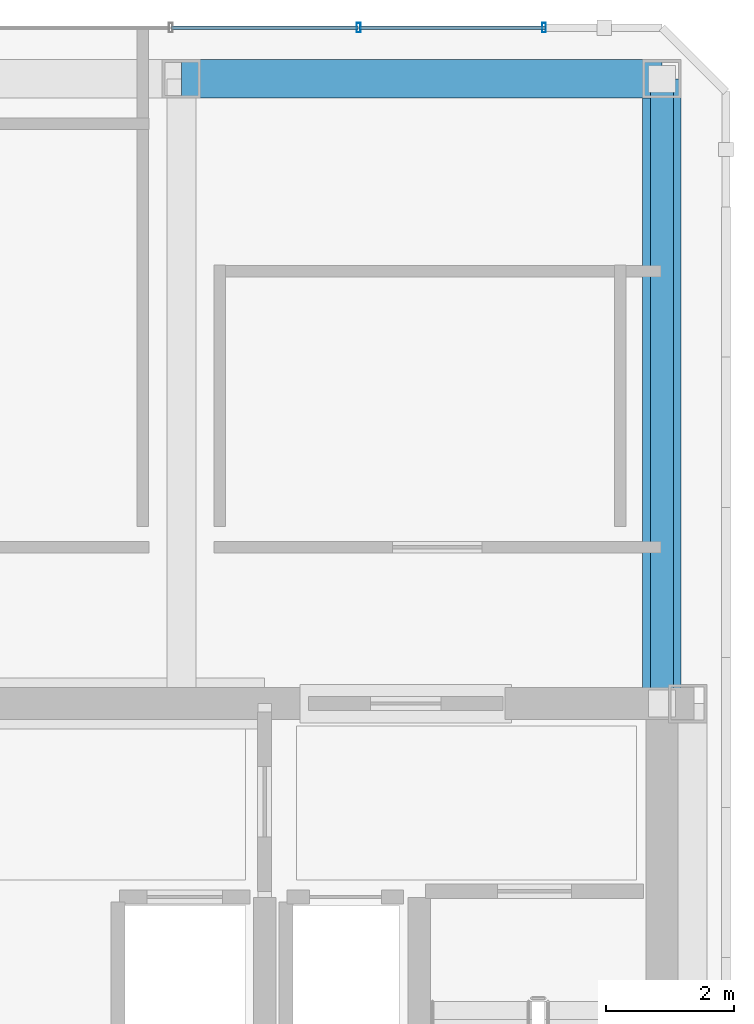
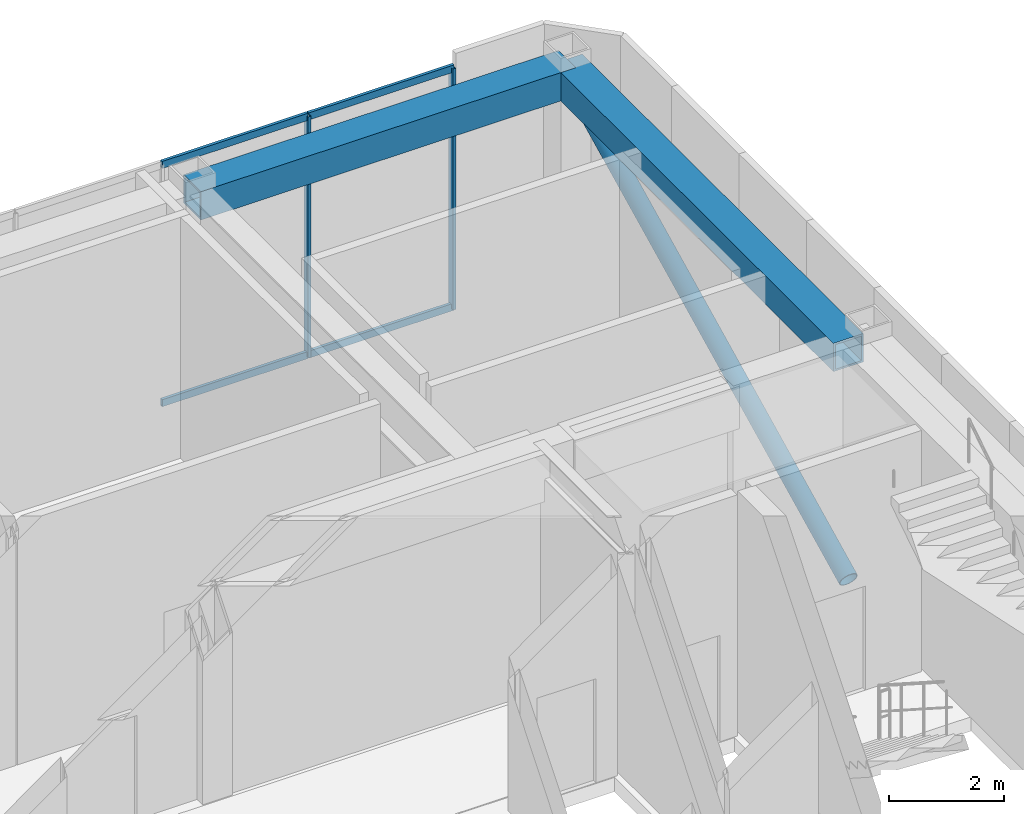
# One storey, part 6 of 9: 7 members, 2 beams, 1 element without a shape of its own.
"""IFC4 building model written with IfcOpenShell, lengths in metres."""

from ifc_helpers import new_model, si_unit, direction, frame, origin, origin_2d, place, context, subcontext, project, spatial, hollow_rectangle, hollow_circle, extrude, material, material_profile, profile_set, type_object, element, aggregate, save


model = new_model("IFC4")

# Units and contexts
model_context = context("Model", 3, precision=1e-05, world=origin(), true_north=direction((0.0, 1.0)))
body_context = subcontext(model_context, "Body", "Model", "MODEL_VIEW")
ifc_project = project(units=[si_unit("LENGTHUNIT", "METRE"), si_unit("AREAUNIT", "SQUARE_METRE"), si_unit("VOLUMEUNIT", "CUBIC_METRE"), si_unit("PLANEANGLEUNIT", "RADIAN"), si_unit("MASSUNIT", "GRAM", prefix="KILO")], contexts=[model_context])

# Site, building, storey
site_placement = place(None, origin())
site = spatial("IfcSite", under=ifc_project, at=site_placement, CompositionType="ELEMENT")
building_placement = place(site_placement, origin())
building = spatial("IfcBuilding", under=site, at=building_placement, Name="Ventersveld Concourse Tower", CompositionType="ELEMENT")
storey_placement = place(building_placement, frame((0.0, 0.0, 377.449951171875)))
storey = spatial("IfcBuildingStorey", under=building, at=storey_placement, Name="L92", CompositionType="ELEMENT", Elevation=377.449951171875)

# Member
ifc_material_1 = material(Name="Structural steel S355ML", Category="steel")
ifc_material_profile_1 = material_profile(ifc_material_1, hollow_circle(Radius=0.177734375, WallThickness=0.01611328125, at=origin_2d()), Name="CHS 355.6x16")
ifc_profile_set_1 = profile_set([ifc_material_profile_1], Name="Structural steel S355ML")
member_type_1 = type_object("IfcMemberType", Name="CF-BR-355", PredefinedType="BRACE", material=ifc_profile_set_1)
member_1_placement = place(storey_placement, frame((43.75, 11.449951171875, 0.0), z_axis=(0.0, 0.897168895597, 0.441687641635), x_axis=(-1.0, 0.0, 0.0)))
element("IfcMember", 1, at=member_1_placement, inside=storey, type_object=member_type_1, Name="L92 CROWN FRAME Wind Brace 4", PredefinedType="BRACE", context=body_context, shape_type="SweptSolid", body=[
    extrude(hollow_circle(Radius=0.177734375, WallThickness=0.01611328125, at=origin_2d()), origin(), (0.0, 0.0, 1.0), 10.867431640625),
])

# Curtain wall, members
ifc_material_2 = material(Name="Anodised aluminium EN AW-6063-T6", Category="aluminium")
curtain_wall_type = type_object("IfcCurtainWallType", Name="CW-CRN-6", PredefinedType="NOTDEFINED", material=ifc_material_2)
curtain_wall_placement = place(storey_placement, origin())
curtain_wall = element("IfcCurtainWall", 2, at=curtain_wall_placement, inside=storey, type_object=curtain_wall_type, Name="L92 L92 Crown North Glazed Curtain Wall", PredefinedType="NOTDEFINED")
ifc_material_profile_2 = material_profile(ifc_material_2, hollow_rectangle(XDim=0.06005859375, YDim=0.14990234375, WallThickness=0.00390625, at=origin_2d()), Name="ALU 150x60x4")
ifc_profile_set_2 = profile_set([ifc_material_profile_2], Name="Anodised aluminium EN AW-6063-T6")
member_type_2 = type_object("IfcMemberType", Name="CWM-150x65", PredefinedType="MULLION", material=ifc_profile_set_2)
member_2_placement = place(storey_placement, frame((41.909912109375, 22.0, 0.0), z_axis=(0.0, 0.0, 1.0), x_axis=(1.0, 0.0, 0.0)))
member_2 = element("IfcMember", 3, at=member_2_placement, type_object=member_type_2, Name="CW-L92-N Mullion 01", PredefinedType="MULLION", context=body_context, shape_type="SweptSolid", body=[
    extrude(hollow_rectangle(XDim=0.06005859375, YDim=0.14990234375, WallThickness=0.00390625, at=origin_2d()), origin(), (0.0, 0.0, 1.0), 5.10009765625),
])
member_3_placement = place(storey_placement, frame((39.0166015625, 22.0, 0.0), z_axis=(0.0, 0.0, 1.0), x_axis=(1.0, 0.0, 0.0)))
member_3 = element("IfcMember", 4, at=member_3_placement, type_object=member_type_2, Name="CW-L92-N Mullion 02", PredefinedType="MULLION", context=body_context, shape_type="SweptSolid", body=[
    extrude(hollow_rectangle(XDim=0.06005859375, YDim=0.14990234375, WallThickness=0.00390625, at=origin_2d()), origin(), (0.0, 0.0, 1.0), 5.10009765625),
])
ifc_material_profile_3 = material_profile(ifc_material_2, hollow_rectangle(XDim=0.06005859375, YDim=0.14990234375, WallThickness=0.00390625, at=origin_2d()), Name="ALU 150x60x4")
ifc_profile_set_3 = profile_set([ifc_material_profile_3], Name="Anodised aluminium EN AW-6063-T6")
member_type_3 = type_object("IfcMemberType", Name="CWT-150x60", PredefinedType="USERDEFINED", material=ifc_profile_set_3)
member_4_placement = place(storey_placement, frame((41.929931640625, 22.0, 0.030029296875), z_axis=(-1.0, 0.0, 0.0), x_axis=(0.0, -1.0, 0.0)))
member_4 = element("IfcMember", 5, at=member_4_placement, type_object=member_type_3, Name="CW-L92-N Transom 1-01", ObjectType="TRANSOM", PredefinedType="USERDEFINED", context=body_context, shape_type="SweptSolid", body=[
    extrude(hollow_rectangle(XDim=0.06005859375, YDim=0.14990234375, WallThickness=0.00390625, at=origin_2d()), origin(), (0.0, 0.0, 1.0), 2.9033203125),
])
member_5_placement = place(storey_placement, frame((39.006591796875, 22.0, 0.030029296875), z_axis=(-1.0, 0.0, 0.0), x_axis=(0.0, -1.0, 0.0)))
member_5 = element("IfcMember", 6, at=member_5_placement, type_object=member_type_3, Name="CW-L92-N Transom 1-02", ObjectType="TRANSOM", PredefinedType="USERDEFINED", context=body_context, shape_type="SweptSolid", body=[
    extrude(hollow_rectangle(XDim=0.06005859375, YDim=0.14990234375, WallThickness=0.00390625, at=origin_2d()), origin(), (0.0, 0.0, 1.0), 2.913330078125),
])
member_6_placement = place(storey_placement, frame((41.929931640625, 22.0, 5.070068359375), z_axis=(-1.0, 0.0, 0.0), x_axis=(0.0, -1.0, 0.0)))
member_6 = element("IfcMember", 7, at=member_6_placement, type_object=member_type_3, Name="CW-L92-N Transom 2-01", ObjectType="TRANSOM", PredefinedType="USERDEFINED", context=body_context, shape_type="SweptSolid", body=[
    extrude(hollow_rectangle(XDim=0.06005859375, YDim=0.14990234375, WallThickness=0.00390625, at=origin_2d()), origin(), (0.0, 0.0, 1.0), 2.9033203125),
])
member_7_placement = place(storey_placement, frame((39.006591796875, 22.0, 5.070068359375), z_axis=(-1.0, 0.0, 0.0), x_axis=(0.0, -1.0, 0.0)))
member_7 = element("IfcMember", 8, at=member_7_placement, type_object=member_type_3, Name="CW-L92-N Transom 2-02", ObjectType="TRANSOM", PredefinedType="USERDEFINED", context=body_context, shape_type="SweptSolid", body=[
    extrude(hollow_rectangle(XDim=0.06005859375, YDim=0.14990234375, WallThickness=0.00390625, at=origin_2d()), origin(), (0.0, 0.0, 1.0), 2.913330078125),
])
aggregate(curtain_wall, [member_2, member_3, member_4, member_5, member_6, member_7])

# Beams
ifc_material_profile_4 = material_profile(ifc_material_1, hollow_rectangle(XDim=0.60009765625, YDim=0.60009765625, WallThickness=0.0400390625, at=origin_2d()), Name="BOX 600x600x40")
ifc_profile_set_4 = profile_set([ifc_material_profile_4], Name="Structural steel S355ML")
beam_type = type_object("IfcBeamType", Name="SPD-BOX600", PredefinedType="SPANDREL", material=ifc_profile_set_4)
beam_1_placement = place(storey_placement, frame((43.75, 11.449951171875, 4.800048828125), z_axis=(0.0, 1.0, 0.0), x_axis=(-1.0, 0.0, 0.0)))
element("IfcBeam", 9, at=beam_1_placement, inside=storey, type_object=beam_type, Name="L92 CROWN FRAME Perimeter Ring Beam 3", PredefinedType="SPANDREL", context=body_context, shape_type="SweptSolid", body=[
    extrude(hollow_rectangle(XDim=0.60009765625, YDim=0.60009765625, WallThickness=0.0400390625, at=origin_2d()), origin(), (0.0, 0.0, 1.0), 9.75),
])
beam_2_placement = place(storey_placement, frame((43.75, 21.199951171875, 4.800048828125), z_axis=(-1.0, 0.0, 0.0), x_axis=(0.0, -1.0, 0.0)))
element("IfcBeam", 10, at=beam_2_placement, inside=storey, type_object=beam_type, Name="L92 CROWN FRAME Perimeter Ring Beam 4", PredefinedType="SPANDREL", context=body_context, shape_type="SweptSolid", body=[
    extrude(hollow_rectangle(XDim=0.60009765625, YDim=0.60009765625, WallThickness=0.0400390625, at=origin_2d()), origin(), (0.0, 0.0, 1.0), 7.5),
])

save(model, "model.ifc")
